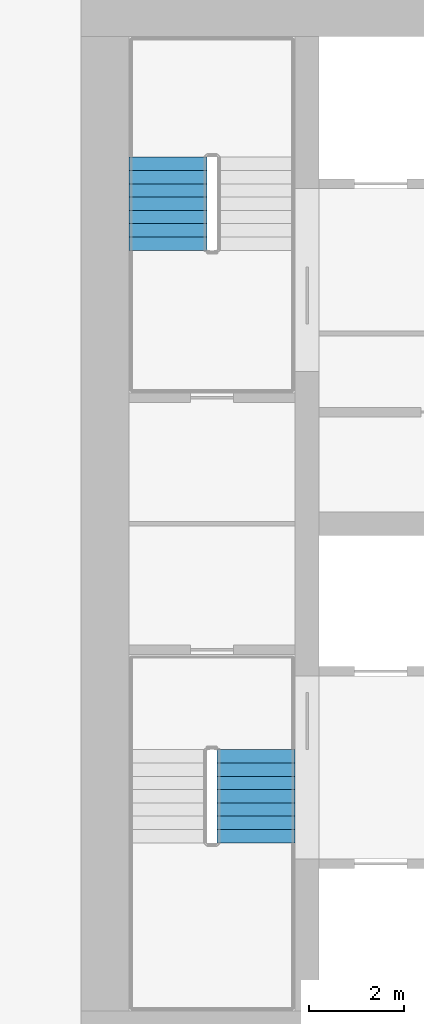
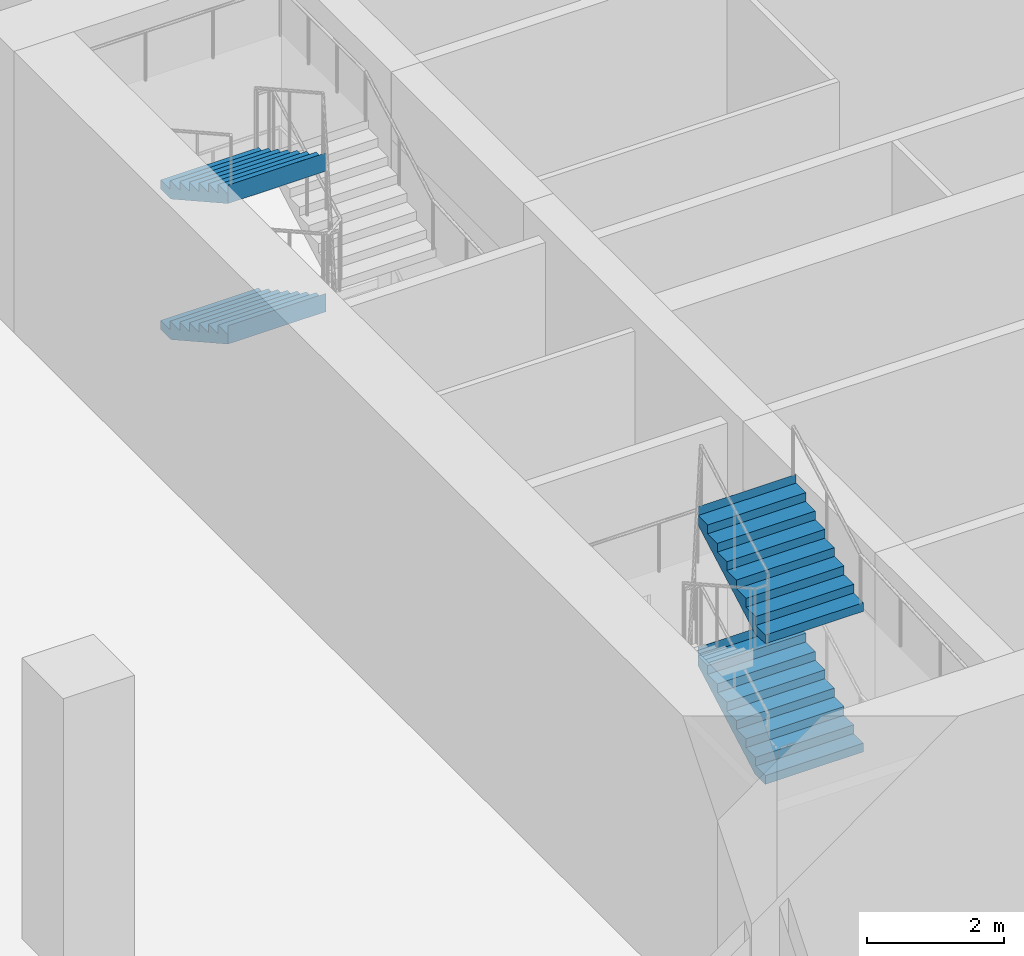
# One storey, part 14 of 32: 4 stair flights, 2 elements without a shape of their own.
"""IFC4 building model written with IfcOpenShell, lengths in metres."""

from ifc_helpers import new_model, si_unit, direction, frame, origin, place, context, subcontext, project, spatial, polyline, outline, extrude, material, type_object, element, aggregate, save


model = new_model("IFC4")

# Units and contexts
model_context = context("Model", 3, precision=1e-05, world=origin(), true_north=direction((0.0, 1.0)))
body_context = subcontext(model_context, "Body", "Model", "MODEL_VIEW")
ifc_project = project(units=[si_unit("LENGTHUNIT", "METRE"), si_unit("AREAUNIT", "SQUARE_METRE"), si_unit("VOLUMEUNIT", "CUBIC_METRE"), si_unit("PLANEANGLEUNIT", "RADIAN"), si_unit("MASSUNIT", "GRAM", prefix="KILO")], contexts=[model_context])

# Site, building, storey
site_placement = place(None, origin())
site = spatial("IfcSite", under=ifc_project, at=site_placement, CompositionType="ELEMENT")
building_placement = place(site_placement, origin())
building = spatial("IfcBuilding", under=site, at=building_placement, Name="Tamorin Gate", CompositionType="ELEMENT")
storey_placement = place(building_placement, frame((0.0, 0.0, 13.5)))
storey = spatial("IfcBuildingStorey", under=building, at=storey_placement, Name="L02", CompositionType="ELEMENT", Elevation=13.5)

# Stair, stair flights
ifc_material = material(Name="Concrete C40/50", Category="concrete")
stair_type = type_object("IfcStairType", Name="Exit stair", PredefinedType="HALF_TURN_STAIR", material=ifc_material)
stair_1_placement = place(storey_placement, origin())
stair_1 = element("IfcStair", 1, at=stair_1_placement, inside=storey, type_object=stair_type, Name="L02 stair ST1", PredefinedType="HALF_TURN_STAIR")
stair_flight_type = type_object("IfcStairFlightType", Name="Exit stair flight", PredefinedType="STRAIGHT", material=ifc_material)
stair_flight_1_placement = place(storey_placement, frame((33.675048828125, 64.5400390625, 1.25), z_axis=(0.0, 0.0, 1.0), x_axis=(0.0, 1.0, 0.0)))
stair_flight_1 = element("IfcStairFlight", 2, at=stair_flight_1_placement, type_object=stair_flight_type, Name="ST1 flight 2", NumberOfRisers=8, NumberOfTreads=7, PredefinedType="STRAIGHT", RiserHeight=0.15625, TreadLength=0.28, context=body_context, shape_type="SweptSolid", body=[
    extrude(outline(polyline([(-0.00048828125, 0.0), (-0.00048828125, 0.00146484375), (-0.00048828125, 0.003173828125), (-0.00048828125, 0.004638671875), (-0.00048828125, 0.006103515625), (-0.00048828125, 0.0078125), (-0.00048828125, 0.00927734375), (-0.00048828125, 0.0107421875), (-0.00048828125, 0.012451171875), (-0.00048828125, 0.013916015625), (-0.00048828125, 0.015380859375), (-0.00048828125, 0.01708984375), (-0.00048828125, 0.0185546875), (-0.00048828125, 0.02001953125), (-0.00048828125, 0.021728515625), (-0.00048828125, 0.023193359375), (-0.00048828125, 0.024658203125), (-0.00048828125, 0.0263671875), (-0.00048828125, 0.02783203125), (-0.00048828125, 0.029296875), (-0.00048828125, 0.031005859375), (-0.00048828125, 0.032470703125), (-0.00048828125, 0.033935546875), (-0.00048828125, 0.03564453125), (-0.00048828125, 0.037109375), (-0.00048828125, 0.03857421875), (-0.00048828125, 0.040283203125), (-0.00048828125, 0.041748046875), (-0.00048828125, 0.043212890625), (-0.00048828125, 0.044921875), (-0.00048828125, 0.04638671875), (-0.00048828125, 0.0478515625), (-0.00048828125, 0.049560546875), (-0.00048828125, 0.051025390625), (-0.00048828125, 0.052490234375), (-0.00048828125, 0.05419921875), (-0.00048828125, 0.0556640625), (-0.00048828125, 0.05712890625), (-0.00048828125, 0.058837890625), (-0.00048828125, 0.060302734375), (-0.00048828125, 0.061767578125), (-0.00048828125, 0.0634765625), (-0.00048828125, 0.06494140625), (-0.00048828125, 0.06640625), (-0.00048828125, 0.068115234375), (-0.00048828125, 0.069580078125), (-0.00048828125, 0.071044921875), (-0.00048828125, 0.07275390625), (-0.00048828125, 0.07421875), (-0.00048828125, 0.07568359375), (-0.00048828125, 0.077392578125), (-0.00048828125, 0.078857421875), (-0.00048828125, 0.08056640625), (-0.00048828125, 0.08203125), (-0.00048828125, 0.08349609375), (-0.00048828125, 0.085205078125), (-0.00048828125, 0.086669921875), (-0.00048828125, 0.088134765625), (-0.00048828125, 0.08984375), (-0.00048828125, 0.09130859375), (-0.00048828125, 0.0927734375), (-0.00048828125, 0.094482421875), (-0.00048828125, 0.095947265625), (-0.00048828125, 0.097412109375), (-0.00048828125, 0.09912109375), (-0.00048828125, 0.1005859375), (-0.00048828125, 0.10205078125), (-0.00048828125, 0.103759765625), (-0.00048828125, 0.105224609375), (-0.00048828125, 0.106689453125), (-0.00048828125, 0.1083984375), (-0.00048828125, 0.10986328125), (-0.00048828125, 0.111328125), (-0.00048828125, 0.113037109375), (-0.00048828125, 0.114501953125), (-0.00048828125, 0.115966796875), (-0.00048828125, 0.11767578125), (-0.00048828125, 0.119140625), (-0.00048828125, 0.12060546875), (-0.00048828125, 0.122314453125), (-0.00048828125, 0.123779296875), (-0.00048828125, 0.125244140625), (-0.00048828125, 0.126953125), (-0.00048828125, 0.12841796875), (-0.00048828125, 0.1298828125), (-0.00048828125, 0.131591796875), (-0.00048828125, 0.133056640625), (-0.00048828125, 0.134521484375), (-0.00048828125, 0.13623046875), (-0.00048828125, 0.1376953125), (-0.00048828125, 0.13916015625), (-0.00048828125, 0.140869140625), (-0.00048828125, 0.142333984375), (-0.00048828125, 0.143798828125), (-0.00048828125, 0.1455078125), (-0.00048828125, 0.14697265625), (-0.00048828125, 0.1484375), (-0.00048828125, 0.150146484375), (-0.00048828125, 0.151611328125), (-0.00048828125, 0.153076171875), (-0.00048828125, 0.15478515625), (-0.00048828125, 0.15625), (0.280029296875, 0.15625), (0.280029296875, 0.3125), (0.56005859375, 0.3125), (0.56005859375, 0.46875), (0.840087890625, 0.46875), (0.840087890625, 0.625), (1.1201171875, 0.625), (1.1201171875, 0.78125), (1.39990234375, 0.78125), (1.39990234375, 0.9375), (1.679931640625, 0.9375), (1.679931640625, 1.09375), (1.9599609375, 1.09375), (1.9599609375, 1.25), (1.96044921875, 1.25), (1.96044921875, 1.246826171875), (1.96044921875, 1.243408203125), (1.96044921875, 1.240234375), (1.96044921875, 1.237060546875), (1.96044921875, 1.23388671875), (1.96044921875, 1.23046875), (1.96044921875, 1.227294921875), (1.96044921875, 1.22412109375), (1.96044921875, 1.220703125), (1.96044921875, 1.217529296875), (1.96044921875, 1.21435546875), (1.96044921875, 1.2109375), (1.96044921875, 1.207763671875), (1.96044921875, 1.20458984375), (1.96044921875, 1.201416015625), (1.96044921875, 1.197998046875), (1.96044921875, 1.19482421875), (1.96044921875, 1.191650390625), (1.96044921875, 1.188232421875), (1.96044921875, 1.18505859375), (1.96044921875, 1.181884765625), (1.96044921875, 1.178466796875), (1.96044921875, 1.17529296875), (1.96044921875, 1.172119140625), (1.96044921875, 1.1689453125), (1.96044921875, 1.16552734375), (1.96044921875, 1.162353515625), (1.96044921875, 1.1591796875), (1.96044921875, 1.15576171875), (1.96044921875, 1.152587890625), (1.96044921875, 1.1494140625), (1.96044921875, 1.14599609375), (1.96044921875, 1.142822265625), (1.96044921875, 1.1396484375), (1.96044921875, 1.136474609375), (1.96044921875, 1.133056640625), (1.96044921875, 1.1298828125), (1.96044921875, 1.126708984375), (1.96044921875, 1.123291015625), (1.96044921875, 1.1201171875), (1.96044921875, 1.116943359375), (1.96044921875, 1.113525390625), (1.96044921875, 1.1103515625), (1.96044921875, 1.107177734375), (1.96044921875, 1.10400390625), (1.96044921875, 1.1005859375), (1.96044921875, 1.097412109375), (1.96044921875, 1.09423828125), (1.96044921875, 1.0908203125), (1.96044921875, 1.087646484375), (1.96044921875, 1.08447265625), (1.96044921875, 1.0810546875), (1.96044921875, 1.077880859375), (1.96044921875, 1.07470703125), (1.96044921875, 1.071533203125), (1.96044921875, 1.068115234375), (1.96044921875, 1.06494140625), (1.96044921875, 1.061767578125), (1.96044921875, 1.058349609375), (1.96044921875, 1.05517578125), (1.96044921875, 1.052001953125), (1.96044921875, 1.048828125), (1.96044921875, 1.04541015625), (1.96044921875, 1.042236328125), (1.96044921875, 1.0390625), (1.96044921875, 1.03564453125), (1.96044921875, 1.032470703125), (1.96044921875, 1.029296875), (1.96044921875, 1.02587890625), (1.96044921875, 1.022705078125), (1.96044921875, 1.01953125), (1.96044921875, 1.016357421875), (1.96044921875, 1.012939453125), (1.96044921875, 1.009765625), (1.96044921875, 1.006591796875), (1.96044921875, 1.003173828125), (1.96044921875, 1.0), (1.96044921875, 0.996826171875), (1.96044921875, 0.993408203125), (1.96044921875, 0.990234375), (1.96044921875, 0.987060546875), (1.96044921875, 0.98388671875), (1.96044921875, 0.98046875), (1.96044921875, 0.977294921875), (1.96044921875, 0.97412109375), (1.96044921875, 0.970703125), (1.96044921875, 0.967529296875), (1.96044921875, 0.96435546875), (1.96044921875, 0.9609375), (1.96044921875, 0.957763671875), (1.96044921875, 0.95458984375), (1.96044921875, 0.951416015625), (1.96044921875, 0.947998046875), (1.96044921875, 0.94482421875), (1.96044921875, 0.941650390625), (1.96044921875, 0.938232421875), (1.96044921875, 0.93505859375), (1.96044921875, 0.931884765625), (1.96044921875, 0.928466796875), (1.96044921875, 0.92529296875), (1.96044921875, 0.922119140625), (1.9599609375, 0.922119140625), (0.3076171875, 0.0), (-0.00048828125, 0.0)])), frame((0.0, 0.824951171875, 0.0), z_axis=(0.0, -1.0, 0.0), x_axis=(1.0, 0.0, 0.0)), (0.0, 0.0, 1.0), 1.64990234375),
])
stair_flight_2_placement = place(storey_placement, frame((33.675048828125, 64.5400390625, 3.75), z_axis=(0.0, 0.0, 1.0), x_axis=(0.0, 1.0, 0.0)))
stair_flight_2 = element("IfcStairFlight", 3, at=stair_flight_2_placement, type_object=stair_flight_type, Name="ST1 flight 4", NumberOfRisers=8, NumberOfTreads=7, PredefinedType="STRAIGHT", RiserHeight=0.15625, TreadLength=0.28, context=body_context, shape_type="SweptSolid", body=[
    extrude(outline(polyline([(-0.00048828125, 0.0), (-0.00048828125, 0.00146484375), (-0.00048828125, 0.003173828125), (-0.00048828125, 0.004638671875), (-0.00048828125, 0.006103515625), (-0.00048828125, 0.0078125), (-0.00048828125, 0.00927734375), (-0.00048828125, 0.0107421875), (-0.00048828125, 0.012451171875), (-0.00048828125, 0.013916015625), (-0.00048828125, 0.015380859375), (-0.00048828125, 0.01708984375), (-0.00048828125, 0.0185546875), (-0.00048828125, 0.02001953125), (-0.00048828125, 0.021728515625), (-0.00048828125, 0.023193359375), (-0.00048828125, 0.024658203125), (-0.00048828125, 0.0263671875), (-0.00048828125, 0.02783203125), (-0.00048828125, 0.029296875), (-0.00048828125, 0.031005859375), (-0.00048828125, 0.032470703125), (-0.00048828125, 0.033935546875), (-0.00048828125, 0.03564453125), (-0.00048828125, 0.037109375), (-0.00048828125, 0.03857421875), (-0.00048828125, 0.040283203125), (-0.00048828125, 0.041748046875), (-0.00048828125, 0.043212890625), (-0.00048828125, 0.044921875), (-0.00048828125, 0.04638671875), (-0.00048828125, 0.0478515625), (-0.00048828125, 0.049560546875), (-0.00048828125, 0.051025390625), (-0.00048828125, 0.052490234375), (-0.00048828125, 0.05419921875), (-0.00048828125, 0.0556640625), (-0.00048828125, 0.05712890625), (-0.00048828125, 0.058837890625), (-0.00048828125, 0.060302734375), (-0.00048828125, 0.061767578125), (-0.00048828125, 0.0634765625), (-0.00048828125, 0.06494140625), (-0.00048828125, 0.06640625), (-0.00048828125, 0.068115234375), (-0.00048828125, 0.069580078125), (-0.00048828125, 0.071044921875), (-0.00048828125, 0.07275390625), (-0.00048828125, 0.07421875), (-0.00048828125, 0.07568359375), (-0.00048828125, 0.077392578125), (-0.00048828125, 0.078857421875), (-0.00048828125, 0.08056640625), (-0.00048828125, 0.08203125), (-0.00048828125, 0.08349609375), (-0.00048828125, 0.085205078125), (-0.00048828125, 0.086669921875), (-0.00048828125, 0.088134765625), (-0.00048828125, 0.08984375), (-0.00048828125, 0.09130859375), (-0.00048828125, 0.0927734375), (-0.00048828125, 0.094482421875), (-0.00048828125, 0.095947265625), (-0.00048828125, 0.097412109375), (-0.00048828125, 0.09912109375), (-0.00048828125, 0.1005859375), (-0.00048828125, 0.10205078125), (-0.00048828125, 0.103759765625), (-0.00048828125, 0.105224609375), (-0.00048828125, 0.106689453125), (-0.00048828125, 0.1083984375), (-0.00048828125, 0.10986328125), (-0.00048828125, 0.111328125), (-0.00048828125, 0.113037109375), (-0.00048828125, 0.114501953125), (-0.00048828125, 0.115966796875), (-0.00048828125, 0.11767578125), (-0.00048828125, 0.119140625), (-0.00048828125, 0.12060546875), (-0.00048828125, 0.122314453125), (-0.00048828125, 0.123779296875), (-0.00048828125, 0.125244140625), (-0.00048828125, 0.126953125), (-0.00048828125, 0.12841796875), (-0.00048828125, 0.1298828125), (-0.00048828125, 0.131591796875), (-0.00048828125, 0.133056640625), (-0.00048828125, 0.134521484375), (-0.00048828125, 0.13623046875), (-0.00048828125, 0.1376953125), (-0.00048828125, 0.13916015625), (-0.00048828125, 0.140869140625), (-0.00048828125, 0.142333984375), (-0.00048828125, 0.143798828125), (-0.00048828125, 0.1455078125), (-0.00048828125, 0.14697265625), (-0.00048828125, 0.1484375), (-0.00048828125, 0.150146484375), (-0.00048828125, 0.151611328125), (-0.00048828125, 0.153076171875), (-0.00048828125, 0.15478515625), (-0.00048828125, 0.15625), (0.280029296875, 0.15625), (0.280029296875, 0.3125), (0.56005859375, 0.3125), (0.56005859375, 0.46875), (0.840087890625, 0.46875), (0.840087890625, 0.625), (1.1201171875, 0.625), (1.1201171875, 0.78125), (1.39990234375, 0.78125), (1.39990234375, 0.9375), (1.679931640625, 0.9375), (1.679931640625, 1.09375), (1.9599609375, 1.09375), (1.9599609375, 1.25), (1.96044921875, 1.25), (1.96044921875, 1.246826171875), (1.96044921875, 1.243408203125), (1.96044921875, 1.240234375), (1.96044921875, 1.237060546875), (1.96044921875, 1.23388671875), (1.96044921875, 1.23046875), (1.96044921875, 1.227294921875), (1.96044921875, 1.22412109375), (1.96044921875, 1.220703125), (1.96044921875, 1.217529296875), (1.96044921875, 1.21435546875), (1.96044921875, 1.2109375), (1.96044921875, 1.207763671875), (1.96044921875, 1.20458984375), (1.96044921875, 1.201416015625), (1.96044921875, 1.197998046875), (1.96044921875, 1.19482421875), (1.96044921875, 1.191650390625), (1.96044921875, 1.188232421875), (1.96044921875, 1.18505859375), (1.96044921875, 1.181884765625), (1.96044921875, 1.178466796875), (1.96044921875, 1.17529296875), (1.96044921875, 1.172119140625), (1.96044921875, 1.1689453125), (1.96044921875, 1.16552734375), (1.96044921875, 1.162353515625), (1.96044921875, 1.1591796875), (1.96044921875, 1.15576171875), (1.96044921875, 1.152587890625), (1.96044921875, 1.1494140625), (1.96044921875, 1.14599609375), (1.96044921875, 1.142822265625), (1.96044921875, 1.1396484375), (1.96044921875, 1.136474609375), (1.96044921875, 1.133056640625), (1.96044921875, 1.1298828125), (1.96044921875, 1.126708984375), (1.96044921875, 1.123291015625), (1.96044921875, 1.1201171875), (1.96044921875, 1.116943359375), (1.96044921875, 1.113525390625), (1.96044921875, 1.1103515625), (1.96044921875, 1.107177734375), (1.96044921875, 1.10400390625), (1.96044921875, 1.1005859375), (1.96044921875, 1.097412109375), (1.96044921875, 1.09423828125), (1.96044921875, 1.0908203125), (1.96044921875, 1.087646484375), (1.96044921875, 1.08447265625), (1.96044921875, 1.0810546875), (1.96044921875, 1.077880859375), (1.96044921875, 1.07470703125), (1.96044921875, 1.071533203125), (1.96044921875, 1.068115234375), (1.96044921875, 1.06494140625), (1.96044921875, 1.061767578125), (1.96044921875, 1.058349609375), (1.96044921875, 1.05517578125), (1.96044921875, 1.052001953125), (1.96044921875, 1.048828125), (1.96044921875, 1.04541015625), (1.96044921875, 1.042236328125), (1.96044921875, 1.0390625), (1.96044921875, 1.03564453125), (1.96044921875, 1.032470703125), (1.96044921875, 1.029296875), (1.96044921875, 1.02587890625), (1.96044921875, 1.022705078125), (1.96044921875, 1.01953125), (1.96044921875, 1.016357421875), (1.96044921875, 1.012939453125), (1.96044921875, 1.009765625), (1.96044921875, 1.006591796875), (1.96044921875, 1.003173828125), (1.96044921875, 1.0), (1.96044921875, 0.996826171875), (1.96044921875, 0.993408203125), (1.96044921875, 0.990234375), (1.96044921875, 0.987060546875), (1.96044921875, 0.98388671875), (1.96044921875, 0.98046875), (1.96044921875, 0.977294921875), (1.96044921875, 0.97412109375), (1.96044921875, 0.970703125), (1.96044921875, 0.967529296875), (1.96044921875, 0.96435546875), (1.96044921875, 0.9609375), (1.96044921875, 0.957763671875), (1.96044921875, 0.95458984375), (1.96044921875, 0.951416015625), (1.96044921875, 0.947998046875), (1.96044921875, 0.94482421875), (1.96044921875, 0.941650390625), (1.96044921875, 0.938232421875), (1.96044921875, 0.93505859375), (1.96044921875, 0.931884765625), (1.96044921875, 0.928466796875), (1.96044921875, 0.92529296875), (1.96044921875, 0.922119140625), (1.9599609375, 0.922119140625), (0.3076171875, 0.0), (-0.00048828125, 0.0)])), frame((0.0, 0.824951171875, 0.0), z_axis=(0.0, -1.0, 0.0), x_axis=(1.0, 0.0, 0.0)), (0.0, 0.0, 1.0), 1.64990234375),
])
aggregate(stair_1, [stair_flight_1, stair_flight_2])

stair_2_placement = place(storey_placement, origin())
stair_2 = element("IfcStair", 4, at=stair_2_placement, inside=storey, type_object=stair_type, Name="L02 stair ST2", PredefinedType="HALF_TURN_STAIR")
stair_flight_3_placement = place(storey_placement, frame((31.824951171875, 78.9599609375, 1.25), z_axis=(0.0, 0.0, 1.0), x_axis=(0.0, -1.0, 0.0)))
stair_flight_3 = element("IfcStairFlight", 5, at=stair_flight_3_placement, type_object=stair_flight_type, Name="ST2 flight 2", NumberOfRisers=8, NumberOfTreads=7, PredefinedType="STRAIGHT", RiserHeight=0.15625, TreadLength=0.28, context=body_context, shape_type="SweptSolid", body=[
    extrude(outline(polyline([(-0.00048828125, 0.0), (-0.00048828125, 0.00146484375), (-0.00048828125, 0.003173828125), (-0.00048828125, 0.004638671875), (-0.00048828125, 0.006103515625), (-0.00048828125, 0.0078125), (-0.00048828125, 0.00927734375), (-0.00048828125, 0.0107421875), (-0.00048828125, 0.012451171875), (-0.00048828125, 0.013916015625), (-0.00048828125, 0.015380859375), (-0.00048828125, 0.01708984375), (-0.00048828125, 0.0185546875), (-0.00048828125, 0.02001953125), (-0.00048828125, 0.021728515625), (-0.00048828125, 0.023193359375), (-0.00048828125, 0.024658203125), (-0.00048828125, 0.0263671875), (-0.00048828125, 0.02783203125), (-0.00048828125, 0.029296875), (-0.00048828125, 0.031005859375), (-0.00048828125, 0.032470703125), (-0.00048828125, 0.033935546875), (-0.00048828125, 0.03564453125), (-0.00048828125, 0.037109375), (-0.00048828125, 0.03857421875), (-0.00048828125, 0.040283203125), (-0.00048828125, 0.041748046875), (-0.00048828125, 0.043212890625), (-0.00048828125, 0.044921875), (-0.00048828125, 0.04638671875), (-0.00048828125, 0.0478515625), (-0.00048828125, 0.049560546875), (-0.00048828125, 0.051025390625), (-0.00048828125, 0.052490234375), (-0.00048828125, 0.05419921875), (-0.00048828125, 0.0556640625), (-0.00048828125, 0.05712890625), (-0.00048828125, 0.058837890625), (-0.00048828125, 0.060302734375), (-0.00048828125, 0.061767578125), (-0.00048828125, 0.0634765625), (-0.00048828125, 0.06494140625), (-0.00048828125, 0.06640625), (-0.00048828125, 0.068115234375), (-0.00048828125, 0.069580078125), (-0.00048828125, 0.071044921875), (-0.00048828125, 0.07275390625), (-0.00048828125, 0.07421875), (-0.00048828125, 0.07568359375), (-0.00048828125, 0.077392578125), (-0.00048828125, 0.078857421875), (-0.00048828125, 0.08056640625), (-0.00048828125, 0.08203125), (-0.00048828125, 0.08349609375), (-0.00048828125, 0.085205078125), (-0.00048828125, 0.086669921875), (-0.00048828125, 0.088134765625), (-0.00048828125, 0.08984375), (-0.00048828125, 0.09130859375), (-0.00048828125, 0.0927734375), (-0.00048828125, 0.094482421875), (-0.00048828125, 0.095947265625), (-0.00048828125, 0.097412109375), (-0.00048828125, 0.09912109375), (-0.00048828125, 0.1005859375), (-0.00048828125, 0.10205078125), (-0.00048828125, 0.103759765625), (-0.00048828125, 0.105224609375), (-0.00048828125, 0.106689453125), (-0.00048828125, 0.1083984375), (-0.00048828125, 0.10986328125), (-0.00048828125, 0.111328125), (-0.00048828125, 0.113037109375), (-0.00048828125, 0.114501953125), (-0.00048828125, 0.115966796875), (-0.00048828125, 0.11767578125), (-0.00048828125, 0.119140625), (-0.00048828125, 0.12060546875), (-0.00048828125, 0.122314453125), (-0.00048828125, 0.123779296875), (-0.00048828125, 0.125244140625), (-0.00048828125, 0.126953125), (-0.00048828125, 0.12841796875), (-0.00048828125, 0.1298828125), (-0.00048828125, 0.131591796875), (-0.00048828125, 0.133056640625), (-0.00048828125, 0.134521484375), (-0.00048828125, 0.13623046875), (-0.00048828125, 0.1376953125), (-0.00048828125, 0.13916015625), (-0.00048828125, 0.140869140625), (-0.00048828125, 0.142333984375), (-0.00048828125, 0.143798828125), (-0.00048828125, 0.1455078125), (-0.00048828125, 0.14697265625), (-0.00048828125, 0.1484375), (-0.00048828125, 0.150146484375), (-0.00048828125, 0.151611328125), (-0.00048828125, 0.153076171875), (-0.00048828125, 0.15478515625), (-0.00048828125, 0.15625), (0.280029296875, 0.15625), (0.280029296875, 0.3125), (0.56005859375, 0.3125), (0.56005859375, 0.46875), (0.840087890625, 0.46875), (0.840087890625, 0.625), (1.1201171875, 0.625), (1.1201171875, 0.78125), (1.39990234375, 0.78125), (1.39990234375, 0.9375), (1.679931640625, 0.9375), (1.679931640625, 1.09375), (1.9599609375, 1.09375), (1.9599609375, 1.25), (1.96044921875, 1.25), (1.96044921875, 1.246826171875), (1.96044921875, 1.243408203125), (1.96044921875, 1.240234375), (1.96044921875, 1.237060546875), (1.96044921875, 1.23388671875), (1.96044921875, 1.23046875), (1.96044921875, 1.227294921875), (1.96044921875, 1.22412109375), (1.96044921875, 1.220703125), (1.96044921875, 1.217529296875), (1.96044921875, 1.21435546875), (1.96044921875, 1.2109375), (1.96044921875, 1.207763671875), (1.96044921875, 1.20458984375), (1.96044921875, 1.201416015625), (1.96044921875, 1.197998046875), (1.96044921875, 1.19482421875), (1.96044921875, 1.191650390625), (1.96044921875, 1.188232421875), (1.96044921875, 1.18505859375), (1.96044921875, 1.181884765625), (1.96044921875, 1.178466796875), (1.96044921875, 1.17529296875), (1.96044921875, 1.172119140625), (1.96044921875, 1.1689453125), (1.96044921875, 1.16552734375), (1.96044921875, 1.162353515625), (1.96044921875, 1.1591796875), (1.96044921875, 1.15576171875), (1.96044921875, 1.152587890625), (1.96044921875, 1.1494140625), (1.96044921875, 1.14599609375), (1.96044921875, 1.142822265625), (1.96044921875, 1.1396484375), (1.96044921875, 1.136474609375), (1.96044921875, 1.133056640625), (1.96044921875, 1.1298828125), (1.96044921875, 1.126708984375), (1.96044921875, 1.123291015625), (1.96044921875, 1.1201171875), (1.96044921875, 1.116943359375), (1.96044921875, 1.113525390625), (1.96044921875, 1.1103515625), (1.96044921875, 1.107177734375), (1.96044921875, 1.10400390625), (1.96044921875, 1.1005859375), (1.96044921875, 1.097412109375), (1.96044921875, 1.09423828125), (1.96044921875, 1.0908203125), (1.96044921875, 1.087646484375), (1.96044921875, 1.08447265625), (1.96044921875, 1.0810546875), (1.96044921875, 1.077880859375), (1.96044921875, 1.07470703125), (1.96044921875, 1.071533203125), (1.96044921875, 1.068115234375), (1.96044921875, 1.06494140625), (1.96044921875, 1.061767578125), (1.96044921875, 1.058349609375), (1.96044921875, 1.05517578125), (1.96044921875, 1.052001953125), (1.96044921875, 1.048828125), (1.96044921875, 1.04541015625), (1.96044921875, 1.042236328125), (1.96044921875, 1.0390625), (1.96044921875, 1.03564453125), (1.96044921875, 1.032470703125), (1.96044921875, 1.029296875), (1.96044921875, 1.02587890625), (1.96044921875, 1.022705078125), (1.96044921875, 1.01953125), (1.96044921875, 1.016357421875), (1.96044921875, 1.012939453125), (1.96044921875, 1.009765625), (1.96044921875, 1.006591796875), (1.96044921875, 1.003173828125), (1.96044921875, 1.0), (1.96044921875, 0.996826171875), (1.96044921875, 0.993408203125), (1.96044921875, 0.990234375), (1.96044921875, 0.987060546875), (1.96044921875, 0.98388671875), (1.96044921875, 0.98046875), (1.96044921875, 0.977294921875), (1.96044921875, 0.97412109375), (1.96044921875, 0.970703125), (1.96044921875, 0.967529296875), (1.96044921875, 0.96435546875), (1.96044921875, 0.9609375), (1.96044921875, 0.957763671875), (1.96044921875, 0.95458984375), (1.96044921875, 0.951416015625), (1.96044921875, 0.947998046875), (1.96044921875, 0.94482421875), (1.96044921875, 0.941650390625), (1.96044921875, 0.938232421875), (1.96044921875, 0.93505859375), (1.96044921875, 0.931884765625), (1.96044921875, 0.928466796875), (1.96044921875, 0.92529296875), (1.96044921875, 0.922119140625), (1.9599609375, 0.922119140625), (0.3076171875, 0.0), (-0.00048828125, 0.0)])), frame((0.0, 0.824951171875, 0.0), z_axis=(0.0, -1.0, 0.0), x_axis=(1.0, 0.0, 0.0)), (0.0, 0.0, 1.0), 1.64990234375),
])
stair_flight_4_placement = place(storey_placement, frame((31.824951171875, 78.9599609375, 3.75), z_axis=(0.0, 0.0, 1.0), x_axis=(0.0, -1.0, 0.0)))
stair_flight_4 = element("IfcStairFlight", 6, at=stair_flight_4_placement, type_object=stair_flight_type, Name="ST2 flight 4", NumberOfRisers=8, NumberOfTreads=7, PredefinedType="STRAIGHT", RiserHeight=0.15625, TreadLength=0.28, context=body_context, shape_type="SweptSolid", body=[
    extrude(outline(polyline([(-0.00048828125, 0.0), (-0.00048828125, 0.00146484375), (-0.00048828125, 0.003173828125), (-0.00048828125, 0.004638671875), (-0.00048828125, 0.006103515625), (-0.00048828125, 0.0078125), (-0.00048828125, 0.00927734375), (-0.00048828125, 0.0107421875), (-0.00048828125, 0.012451171875), (-0.00048828125, 0.013916015625), (-0.00048828125, 0.015380859375), (-0.00048828125, 0.01708984375), (-0.00048828125, 0.0185546875), (-0.00048828125, 0.02001953125), (-0.00048828125, 0.021728515625), (-0.00048828125, 0.023193359375), (-0.00048828125, 0.024658203125), (-0.00048828125, 0.0263671875), (-0.00048828125, 0.02783203125), (-0.00048828125, 0.029296875), (-0.00048828125, 0.031005859375), (-0.00048828125, 0.032470703125), (-0.00048828125, 0.033935546875), (-0.00048828125, 0.03564453125), (-0.00048828125, 0.037109375), (-0.00048828125, 0.03857421875), (-0.00048828125, 0.040283203125), (-0.00048828125, 0.041748046875), (-0.00048828125, 0.043212890625), (-0.00048828125, 0.044921875), (-0.00048828125, 0.04638671875), (-0.00048828125, 0.0478515625), (-0.00048828125, 0.049560546875), (-0.00048828125, 0.051025390625), (-0.00048828125, 0.052490234375), (-0.00048828125, 0.05419921875), (-0.00048828125, 0.0556640625), (-0.00048828125, 0.05712890625), (-0.00048828125, 0.058837890625), (-0.00048828125, 0.060302734375), (-0.00048828125, 0.061767578125), (-0.00048828125, 0.0634765625), (-0.00048828125, 0.06494140625), (-0.00048828125, 0.06640625), (-0.00048828125, 0.068115234375), (-0.00048828125, 0.069580078125), (-0.00048828125, 0.071044921875), (-0.00048828125, 0.07275390625), (-0.00048828125, 0.07421875), (-0.00048828125, 0.07568359375), (-0.00048828125, 0.077392578125), (-0.00048828125, 0.078857421875), (-0.00048828125, 0.08056640625), (-0.00048828125, 0.08203125), (-0.00048828125, 0.08349609375), (-0.00048828125, 0.085205078125), (-0.00048828125, 0.086669921875), (-0.00048828125, 0.088134765625), (-0.00048828125, 0.08984375), (-0.00048828125, 0.09130859375), (-0.00048828125, 0.0927734375), (-0.00048828125, 0.094482421875), (-0.00048828125, 0.095947265625), (-0.00048828125, 0.097412109375), (-0.00048828125, 0.09912109375), (-0.00048828125, 0.1005859375), (-0.00048828125, 0.10205078125), (-0.00048828125, 0.103759765625), (-0.00048828125, 0.105224609375), (-0.00048828125, 0.106689453125), (-0.00048828125, 0.1083984375), (-0.00048828125, 0.10986328125), (-0.00048828125, 0.111328125), (-0.00048828125, 0.113037109375), (-0.00048828125, 0.114501953125), (-0.00048828125, 0.115966796875), (-0.00048828125, 0.11767578125), (-0.00048828125, 0.119140625), (-0.00048828125, 0.12060546875), (-0.00048828125, 0.122314453125), (-0.00048828125, 0.123779296875), (-0.00048828125, 0.125244140625), (-0.00048828125, 0.126953125), (-0.00048828125, 0.12841796875), (-0.00048828125, 0.1298828125), (-0.00048828125, 0.131591796875), (-0.00048828125, 0.133056640625), (-0.00048828125, 0.134521484375), (-0.00048828125, 0.13623046875), (-0.00048828125, 0.1376953125), (-0.00048828125, 0.13916015625), (-0.00048828125, 0.140869140625), (-0.00048828125, 0.142333984375), (-0.00048828125, 0.143798828125), (-0.00048828125, 0.1455078125), (-0.00048828125, 0.14697265625), (-0.00048828125, 0.1484375), (-0.00048828125, 0.150146484375), (-0.00048828125, 0.151611328125), (-0.00048828125, 0.153076171875), (-0.00048828125, 0.15478515625), (-0.00048828125, 0.15625), (0.280029296875, 0.15625), (0.280029296875, 0.3125), (0.56005859375, 0.3125), (0.56005859375, 0.46875), (0.840087890625, 0.46875), (0.840087890625, 0.625), (1.1201171875, 0.625), (1.1201171875, 0.78125), (1.39990234375, 0.78125), (1.39990234375, 0.9375), (1.679931640625, 0.9375), (1.679931640625, 1.09375), (1.9599609375, 1.09375), (1.9599609375, 1.25), (1.96044921875, 1.25), (1.96044921875, 1.246826171875), (1.96044921875, 1.243408203125), (1.96044921875, 1.240234375), (1.96044921875, 1.237060546875), (1.96044921875, 1.23388671875), (1.96044921875, 1.23046875), (1.96044921875, 1.227294921875), (1.96044921875, 1.22412109375), (1.96044921875, 1.220703125), (1.96044921875, 1.217529296875), (1.96044921875, 1.21435546875), (1.96044921875, 1.2109375), (1.96044921875, 1.207763671875), (1.96044921875, 1.20458984375), (1.96044921875, 1.201416015625), (1.96044921875, 1.197998046875), (1.96044921875, 1.19482421875), (1.96044921875, 1.191650390625), (1.96044921875, 1.188232421875), (1.96044921875, 1.18505859375), (1.96044921875, 1.181884765625), (1.96044921875, 1.178466796875), (1.96044921875, 1.17529296875), (1.96044921875, 1.172119140625), (1.96044921875, 1.1689453125), (1.96044921875, 1.16552734375), (1.96044921875, 1.162353515625), (1.96044921875, 1.1591796875), (1.96044921875, 1.15576171875), (1.96044921875, 1.152587890625), (1.96044921875, 1.1494140625), (1.96044921875, 1.14599609375), (1.96044921875, 1.142822265625), (1.96044921875, 1.1396484375), (1.96044921875, 1.136474609375), (1.96044921875, 1.133056640625), (1.96044921875, 1.1298828125), (1.96044921875, 1.126708984375), (1.96044921875, 1.123291015625), (1.96044921875, 1.1201171875), (1.96044921875, 1.116943359375), (1.96044921875, 1.113525390625), (1.96044921875, 1.1103515625), (1.96044921875, 1.107177734375), (1.96044921875, 1.10400390625), (1.96044921875, 1.1005859375), (1.96044921875, 1.097412109375), (1.96044921875, 1.09423828125), (1.96044921875, 1.0908203125), (1.96044921875, 1.087646484375), (1.96044921875, 1.08447265625), (1.96044921875, 1.0810546875), (1.96044921875, 1.077880859375), (1.96044921875, 1.07470703125), (1.96044921875, 1.071533203125), (1.96044921875, 1.068115234375), (1.96044921875, 1.06494140625), (1.96044921875, 1.061767578125), (1.96044921875, 1.058349609375), (1.96044921875, 1.05517578125), (1.96044921875, 1.052001953125), (1.96044921875, 1.048828125), (1.96044921875, 1.04541015625), (1.96044921875, 1.042236328125), (1.96044921875, 1.0390625), (1.96044921875, 1.03564453125), (1.96044921875, 1.032470703125), (1.96044921875, 1.029296875), (1.96044921875, 1.02587890625), (1.96044921875, 1.022705078125), (1.96044921875, 1.01953125), (1.96044921875, 1.016357421875), (1.96044921875, 1.012939453125), (1.96044921875, 1.009765625), (1.96044921875, 1.006591796875), (1.96044921875, 1.003173828125), (1.96044921875, 1.0), (1.96044921875, 0.996826171875), (1.96044921875, 0.993408203125), (1.96044921875, 0.990234375), (1.96044921875, 0.987060546875), (1.96044921875, 0.98388671875), (1.96044921875, 0.98046875), (1.96044921875, 0.977294921875), (1.96044921875, 0.97412109375), (1.96044921875, 0.970703125), (1.96044921875, 0.967529296875), (1.96044921875, 0.96435546875), (1.96044921875, 0.9609375), (1.96044921875, 0.957763671875), (1.96044921875, 0.95458984375), (1.96044921875, 0.951416015625), (1.96044921875, 0.947998046875), (1.96044921875, 0.94482421875), (1.96044921875, 0.941650390625), (1.96044921875, 0.938232421875), (1.96044921875, 0.93505859375), (1.96044921875, 0.931884765625), (1.96044921875, 0.928466796875), (1.96044921875, 0.92529296875), (1.96044921875, 0.922119140625), (1.9599609375, 0.922119140625), (0.3076171875, 0.0), (-0.00048828125, 0.0)])), frame((0.0, 0.824951171875, 0.0), z_axis=(0.0, -1.0, 0.0), x_axis=(1.0, 0.0, 0.0)), (0.0, 0.0, 1.0), 1.64990234375),
])
aggregate(stair_2, [stair_flight_3, stair_flight_4])

save(model, "model.ifc")
